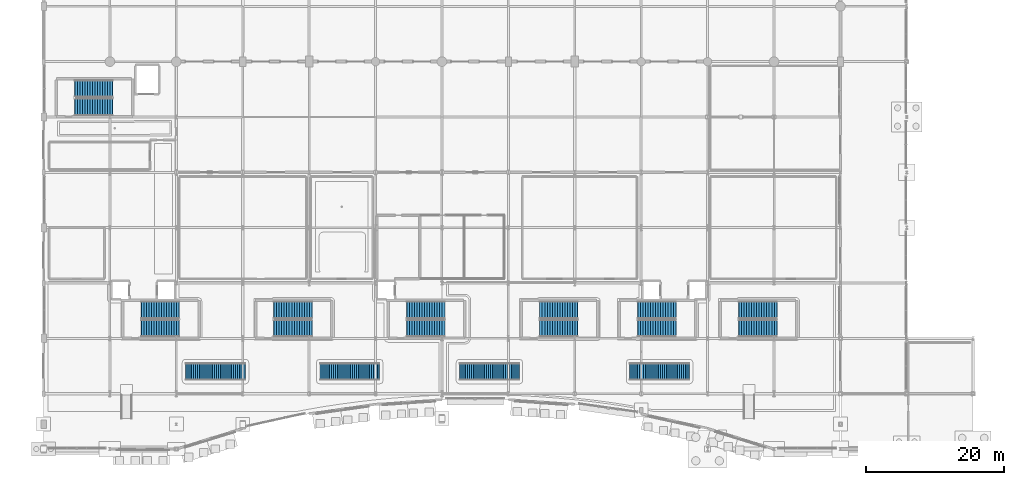
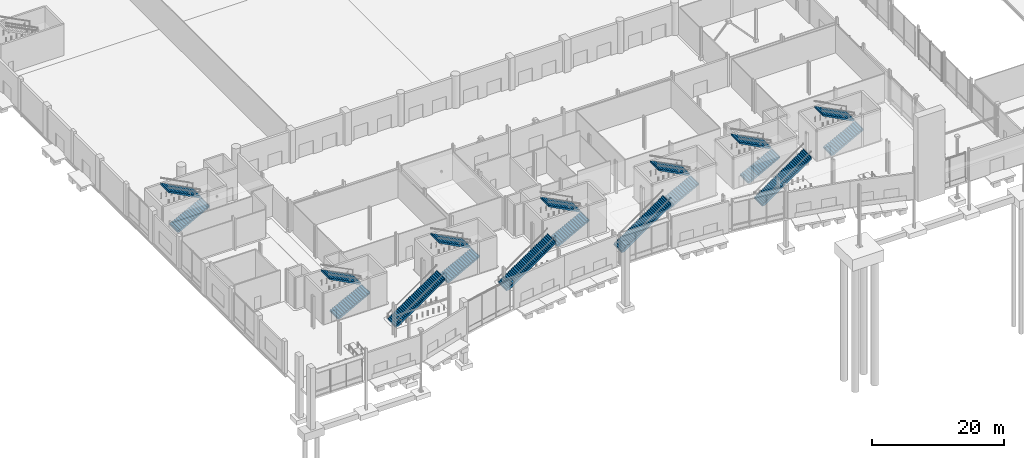
# One storey, part 89 of 124: 18 stair flights, 11 elements without a shape of their own.
"""IFC4 building model written with IfcOpenShell, lengths in metres."""

from ifc_helpers import new_model, si_unit, direction, frame, origin, place, context, subcontext, project, spatial, polyline, outline, extrude, material, type_object, element, aggregate, save


model = new_model("IFC4")

# Units and contexts
model_context = context("Model", 3, precision=1e-05, world=origin(), true_north=direction((0.0, 1.0)))
body_context = subcontext(model_context, "Body", "Model", "MODEL_VIEW")
ifc_project = project(units=[si_unit("LENGTHUNIT", "METRE"), si_unit("AREAUNIT", "SQUARE_METRE"), si_unit("VOLUMEUNIT", "CUBIC_METRE"), si_unit("PLANEANGLEUNIT", "RADIAN"), si_unit("MASSUNIT", "GRAM", prefix="KILO")], contexts=[model_context])

# Site, building, storey
site_placement = place(None, origin())
site = spatial("IfcSite", under=ifc_project, at=site_placement, CompositionType="ELEMENT")
building_placement = place(site_placement, origin())
building = spatial("IfcBuilding", under=site, at=building_placement, Name="Danafjord Basin Convention Centre", CompositionType="ELEMENT")
storey_placement = place(building_placement, origin())
storey = spatial("IfcBuildingStorey", under=building, at=storey_placement, Name="L00", CompositionType="ELEMENT", Elevation=0.0)

# Stair, stair flights
ifc_material_1 = material(Name="Concrete C40/50", Category="concrete")
stair_type_1 = type_object("IfcStairType", Name="STAIR-STR-C01", PredefinedType="TWO_STRAIGHT_RUN_STAIR", material=ifc_material_1)
stair_1_placement = place(storey_placement, origin())
stair_1 = element("IfcStair", 1, at=stair_1_placement, inside=storey, type_object=stair_type_1, Name="L00 West Harbour Core Stair 1", PredefinedType="HALF_TURN_STAIR")
ifc_material_2 = material(Name="Precast concrete C40/50", Category="concrete")
stair_flight_type = type_object("IfcStairFlightType", Name="SFLT-STD", PredefinedType="STRAIGHT", material=ifc_material_2)
stair_flight_1_placement = place(storey_placement, frame((14.1298828125, 17.4599609375, 0.0), z_axis=(0.0, 0.0, 1.0), x_axis=(1.0, 0.0, 0.0)))
stair_flight_1 = element("IfcStairFlight", 2, at=stair_flight_1_placement, type_object=stair_flight_type, Name="ST-01 flight 1", NumberOfRisers=16, NumberOfTreads=15, PredefinedType="STRAIGHT", RiserHeight=0.1875, TreadLength=0.365, context=body_context, shape_type="SweptSolid", body=[
    extrude(outline(polyline([(-0.06494140625, -0.14990234375), (-0.06494140625, -0.00390625), (0.0, -0.00390625), (0.0, 0.1875), (0.364990234375, 0.1875), (0.364990234375, 0.375), (0.72998046875, 0.375), (0.72998046875, 0.5625), (1.094970703125, 0.5625), (1.094970703125, 0.75), (1.4599609375, 0.75), (1.4599609375, 0.9375), (1.824951171875, 0.9375), (1.824951171875, 1.125), (2.18994140625, 1.125), (2.18994140625, 1.3125), (2.554931640625, 1.3125), (2.554931640625, 1.5), (2.919921875, 1.5), (2.919921875, 1.6875), (3.284912109375, 1.6875), (3.284912109375, 1.875), (3.64990234375, 1.875), (3.64990234375, 2.0625), (4.014892578125, 2.0625), (4.014892578125, 2.25), (4.3798828125, 2.25), (4.3798828125, 2.4375), (4.7451171875, 2.4375), (4.7451171875, 2.625), (5.110107421875, 2.625), (5.110107421875, 2.8125), (5.47509765625, 2.8125), (5.47509765625, 3.0), (5.5400390625, 2.99609375), (5.5400390625, 2.64404296875), (0.328125, -0.14990234375), (-0.06494140625, -0.14990234375)])), frame((0.0, 1.25, 0.0), z_axis=(0.0, -1.0, 0.0), x_axis=(1.0, 0.0, 0.0)), (0.0, 0.0, 1.0), 2.5),
])
stair_flight_2_placement = place(storey_placement, frame((19.60498046875, 20.10009765625, 3.0), z_axis=(0.0, 0.0, 1.0), x_axis=(-1.0, 0.0, 0.0)))
stair_flight_2 = element("IfcStairFlight", 3, at=stair_flight_2_placement, type_object=stair_flight_type, Name="ST-01 flight 2", NumberOfRisers=16, NumberOfTreads=15, PredefinedType="STRAIGHT", RiserHeight=0.1875, TreadLength=0.365, context=body_context, shape_type="SweptSolid", body=[
    extrude(outline(polyline([(-0.06494140625, -0.14990234375), (-0.06494140625, -0.00390625), (0.0, -0.00390625), (0.0, 0.1875), (0.364990234375, 0.1875), (0.364990234375, 0.375), (0.72998046875, 0.375), (0.72998046875, 0.5625), (1.094970703125, 0.5625), (1.094970703125, 0.75), (1.4599609375, 0.75), (1.4599609375, 0.9375), (1.824951171875, 0.9375), (1.824951171875, 1.125), (2.18994140625, 1.125), (2.18994140625, 1.3125), (2.554931640625, 1.3125), (2.554931640625, 1.5), (2.919921875, 1.5), (2.919921875, 1.6875), (3.284912109375, 1.6875), (3.284912109375, 1.875), (3.64990234375, 1.875), (3.64990234375, 2.0625), (4.014892578125, 2.0625), (4.014892578125, 2.25), (4.3798828125, 2.25), (4.3798828125, 2.4375), (4.7451171875, 2.4375), (4.7451171875, 2.625), (5.110107421875, 2.625), (5.110107421875, 2.8125), (5.47509765625, 2.8125), (5.47509765625, 3.0), (5.5400390625, 2.99609375), (5.5400390625, 2.64404296875), (0.328125, -0.14990234375), (-0.06494140625, -0.14990234375)])), frame((0.0, 1.25, 0.0), z_axis=(0.0, -1.0, 0.0), x_axis=(1.0, 0.0, 0.0)), (0.0, 0.0, 1.0), 2.5),
])
aggregate(stair_1, [stair_flight_1, stair_flight_2])

stair_2_placement = place(storey_placement, origin())
stair_2 = element("IfcStair", 4, at=stair_2_placement, inside=storey, type_object=stair_type_1, Name="L00 Central Harbour Core Stair 1", PredefinedType="HALF_TURN_STAIR")
stair_flight_3_placement = place(storey_placement, frame((85.929931640625, 17.4599609375, 0.0), z_axis=(0.0, 0.0, 1.0), x_axis=(1.0, 0.0, 0.0)))
stair_flight_3 = element("IfcStairFlight", 5, at=stair_flight_3_placement, type_object=stair_flight_type, Name="ST-03 flight 1", NumberOfRisers=16, NumberOfTreads=15, PredefinedType="STRAIGHT", RiserHeight=0.1875, TreadLength=0.365, context=body_context, shape_type="SweptSolid", body=[
    extrude(outline(polyline([(-0.06494140625, -0.14990234375), (-0.06494140625, -0.00390625), (0.0, -0.00390625), (0.0, 0.1875), (0.364990234375, 0.1875), (0.364990234375, 0.375), (0.72998046875, 0.375), (0.72998046875, 0.5625), (1.094970703125, 0.5625), (1.094970703125, 0.75), (1.4599609375, 0.75), (1.4599609375, 0.9375), (1.824951171875, 0.9375), (1.824951171875, 1.125), (2.18994140625, 1.125), (2.18994140625, 1.3125), (2.554931640625, 1.3125), (2.554931640625, 1.5), (2.919921875, 1.5), (2.919921875, 1.6875), (3.284912109375, 1.6875), (3.284912109375, 1.875), (3.64990234375, 1.875), (3.64990234375, 2.0625), (4.014892578125, 2.0625), (4.014892578125, 2.25), (4.3798828125, 2.25), (4.3798828125, 2.4375), (4.7451171875, 2.4375), (4.7451171875, 2.625), (5.110107421875, 2.625), (5.110107421875, 2.8125), (5.47509765625, 2.8125), (5.47509765625, 3.0), (5.5400390625, 2.99609375), (5.5400390625, 2.64404296875), (0.328125, -0.14990234375), (-0.06494140625, -0.14990234375)])), frame((0.0, 1.25, 0.0), z_axis=(0.0, -1.0, 0.0), x_axis=(1.0, 0.0, 0.0)), (0.0, 0.0, 1.0), 2.5),
])
stair_flight_4_placement = place(storey_placement, frame((91.405029296875, 20.10009765625, 3.0), z_axis=(0.0, 0.0, 1.0), x_axis=(-1.0, 0.0, 0.0)))
stair_flight_4 = element("IfcStairFlight", 6, at=stair_flight_4_placement, type_object=stair_flight_type, Name="ST-03 flight 2", NumberOfRisers=16, NumberOfTreads=15, PredefinedType="STRAIGHT", RiserHeight=0.1875, TreadLength=0.365, context=body_context, shape_type="SweptSolid", body=[
    extrude(outline(polyline([(-0.06494140625, -0.14990234375), (-0.06494140625, -0.00390625), (0.0, -0.00390625), (0.0, 0.1875), (0.364990234375, 0.1875), (0.364990234375, 0.375), (0.72998046875, 0.375), (0.72998046875, 0.5625), (1.094970703125, 0.5625), (1.094970703125, 0.75), (1.4599609375, 0.75), (1.4599609375, 0.9375), (1.824951171875, 0.9375), (1.824951171875, 1.125), (2.18994140625, 1.125), (2.18994140625, 1.3125), (2.554931640625, 1.3125), (2.554931640625, 1.5), (2.919921875, 1.5), (2.919921875, 1.6875), (3.284912109375, 1.6875), (3.284912109375, 1.875), (3.64990234375, 1.875), (3.64990234375, 2.0625), (4.014892578125, 2.0625), (4.014892578125, 2.25), (4.3798828125, 2.25), (4.3798828125, 2.4375), (4.7451171875, 2.4375), (4.7451171875, 2.625), (5.110107421875, 2.625), (5.110107421875, 2.8125), (5.47509765625, 2.8125), (5.47509765625, 3.0), (5.5400390625, 2.99609375), (5.5400390625, 2.64404296875), (0.328125, -0.14990234375), (-0.06494140625, -0.14990234375)])), frame((0.0, 1.25, 0.0), z_axis=(0.0, -1.0, 0.0), x_axis=(1.0, 0.0, 0.0)), (0.0, 0.0, 1.0), 2.5),
])
aggregate(stair_2, [stair_flight_3, stair_flight_4])

stair_3_placement = place(storey_placement, origin())
stair_3 = element("IfcStair", 7, at=stair_3_placement, inside=storey, type_object=stair_type_1, Name="L00 Mid-Arc Meeting Core Stair 1", PredefinedType="HALF_TURN_STAIR")
stair_flight_5_placement = place(storey_placement, frame((52.530029296875, 17.4599609375, 0.0), z_axis=(0.0, 0.0, 1.0), x_axis=(1.0, 0.0, 0.0)))
stair_flight_5 = element("IfcStairFlight", 8, at=stair_flight_5_placement, type_object=stair_flight_type, Name="ST-05 flight 1", NumberOfRisers=16, NumberOfTreads=15, PredefinedType="STRAIGHT", RiserHeight=0.1875, TreadLength=0.365, context=body_context, shape_type="SweptSolid", body=[
    extrude(outline(polyline([(-0.06494140625, -0.14990234375), (-0.06494140625, -0.00390625), (0.0, -0.00390625), (0.0, 0.1875), (0.364990234375, 0.1875), (0.364990234375, 0.375), (0.72998046875, 0.375), (0.72998046875, 0.5625), (1.094970703125, 0.5625), (1.094970703125, 0.75), (1.4599609375, 0.75), (1.4599609375, 0.9375), (1.824951171875, 0.9375), (1.824951171875, 1.125), (2.18994140625, 1.125), (2.18994140625, 1.3125), (2.554931640625, 1.3125), (2.554931640625, 1.5), (2.919921875, 1.5), (2.919921875, 1.6875), (3.284912109375, 1.6875), (3.284912109375, 1.875), (3.64990234375, 1.875), (3.64990234375, 2.0625), (4.014892578125, 2.0625), (4.014892578125, 2.25), (4.3798828125, 2.25), (4.3798828125, 2.4375), (4.7451171875, 2.4375), (4.7451171875, 2.625), (5.110107421875, 2.625), (5.110107421875, 2.8125), (5.47509765625, 2.8125), (5.47509765625, 3.0), (5.5400390625, 2.99609375), (5.5400390625, 2.64404296875), (0.328125, -0.14990234375), (-0.06494140625, -0.14990234375)])), frame((0.0, 1.25, 0.0), z_axis=(0.0, -1.0, 0.0), x_axis=(1.0, 0.0, 0.0)), (0.0, 0.0, 1.0), 2.5),
])
stair_flight_6_placement = place(storey_placement, frame((58.0048828125, 20.10009765625, 3.0), z_axis=(0.0, 0.0, 1.0), x_axis=(-1.0, 0.0, 0.0)))
stair_flight_6 = element("IfcStairFlight", 9, at=stair_flight_6_placement, type_object=stair_flight_type, Name="ST-05 flight 2", NumberOfRisers=16, NumberOfTreads=15, PredefinedType="STRAIGHT", RiserHeight=0.1875, TreadLength=0.365, context=body_context, shape_type="SweptSolid", body=[
    extrude(outline(polyline([(-0.06494140625, -0.14990234375), (-0.06494140625, -0.00390625), (0.0, -0.00390625), (0.0, 0.1875), (0.364990234375, 0.1875), (0.364990234375, 0.375), (0.72998046875, 0.375), (0.72998046875, 0.5625), (1.094970703125, 0.5625), (1.094970703125, 0.75), (1.4599609375, 0.75), (1.4599609375, 0.9375), (1.824951171875, 0.9375), (1.824951171875, 1.125), (2.18994140625, 1.125), (2.18994140625, 1.3125), (2.554931640625, 1.3125), (2.554931640625, 1.5), (2.919921875, 1.5), (2.919921875, 1.6875), (3.284912109375, 1.6875), (3.284912109375, 1.875), (3.64990234375, 1.875), (3.64990234375, 2.0625), (4.014892578125, 2.0625), (4.014892578125, 2.25), (4.3798828125, 2.25), (4.3798828125, 2.4375), (4.7451171875, 2.4375), (4.7451171875, 2.625), (5.110107421875, 2.625), (5.110107421875, 2.8125), (5.47509765625, 2.8125), (5.47509765625, 3.0), (5.5400390625, 2.99609375), (5.5400390625, 2.64404296875), (0.328125, -0.14990234375), (-0.06494140625, -0.14990234375)])), frame((0.0, 1.25, 0.0), z_axis=(0.0, -1.0, 0.0), x_axis=(1.0, 0.0, 0.0)), (0.0, 0.0, 1.0), 2.5),
])
aggregate(stair_3, [stair_flight_5, stair_flight_6])

stair_4_placement = place(storey_placement, origin())
stair_4 = element("IfcStair", 10, at=stair_4_placement, inside=storey, type_object=stair_type_1, Name="L00 West Exhibition Core Stair 1", PredefinedType="HALF_TURN_STAIR")
stair_flight_7_placement = place(storey_placement, frame((4.530029296875, 49.4599609375, 0.0), z_axis=(0.0, 0.0, 1.0), x_axis=(1.0, 0.0, 0.0)))
stair_flight_7 = element("IfcStairFlight", 11, at=stair_flight_7_placement, type_object=stair_flight_type, Name="ST-07 flight 1", NumberOfRisers=16, NumberOfTreads=15, PredefinedType="STRAIGHT", RiserHeight=0.1875, TreadLength=0.365, context=body_context, shape_type="SweptSolid", body=[
    extrude(outline(polyline([(-0.06494140625, -0.14990234375), (-0.06494140625, -0.00390625), (0.0, -0.00390625), (0.0, 0.1875), (0.364990234375, 0.1875), (0.364990234375, 0.375), (0.72998046875, 0.375), (0.72998046875, 0.5625), (1.094970703125, 0.5625), (1.094970703125, 0.75), (1.4599609375, 0.75), (1.4599609375, 0.9375), (1.824951171875, 0.9375), (1.824951171875, 1.125), (2.18994140625, 1.125), (2.18994140625, 1.3125), (2.554931640625, 1.3125), (2.554931640625, 1.5), (2.919921875, 1.5), (2.919921875, 1.6875), (3.284912109375, 1.6875), (3.284912109375, 1.875), (3.64990234375, 1.875), (3.64990234375, 2.0625), (4.014892578125, 2.0625), (4.014892578125, 2.25), (4.3798828125, 2.25), (4.3798828125, 2.4375), (4.7451171875, 2.4375), (4.7451171875, 2.625), (5.110107421875, 2.625), (5.110107421875, 2.8125), (5.47509765625, 2.8125), (5.47509765625, 3.0), (5.5400390625, 2.99609375), (5.5400390625, 2.64404296875), (0.328125, -0.14990234375), (-0.06494140625, -0.14990234375)])), frame((0.0, 1.25, 0.0), z_axis=(0.0, -1.0, 0.0), x_axis=(1.0, 0.0, 0.0)), (0.0, 0.0, 1.0), 2.5),
])
stair_flight_8_placement = place(storey_placement, frame((10.0048828125, 52.10009765625, 3.0), z_axis=(0.0, 0.0, 1.0), x_axis=(-1.0, 0.0, 0.0)))
stair_flight_8 = element("IfcStairFlight", 12, at=stair_flight_8_placement, type_object=stair_flight_type, Name="ST-07 flight 2", NumberOfRisers=16, NumberOfTreads=15, PredefinedType="STRAIGHT", RiserHeight=0.1875, TreadLength=0.365, context=body_context, shape_type="SweptSolid", body=[
    extrude(outline(polyline([(-0.06494140625, -0.14990234375), (-0.06494140625, -0.00390625), (0.0, -0.00390625), (0.0, 0.1875), (0.364990234375, 0.1875), (0.364990234375, 0.375), (0.72998046875, 0.375), (0.72998046875, 0.5625), (1.094970703125, 0.5625), (1.094970703125, 0.75), (1.4599609375, 0.75), (1.4599609375, 0.9375), (1.824951171875, 0.9375), (1.824951171875, 1.125), (2.18994140625, 1.125), (2.18994140625, 1.3125), (2.554931640625, 1.3125), (2.554931640625, 1.5), (2.919921875, 1.5), (2.919921875, 1.6875), (3.284912109375, 1.6875), (3.284912109375, 1.875), (3.64990234375, 1.875), (3.64990234375, 2.0625), (4.014892578125, 2.0625), (4.014892578125, 2.25), (4.3798828125, 2.25), (4.3798828125, 2.4375), (4.7451171875, 2.4375), (4.7451171875, 2.625), (5.110107421875, 2.625), (5.110107421875, 2.8125), (5.47509765625, 2.8125), (5.47509765625, 3.0), (5.5400390625, 2.99609375), (5.5400390625, 2.64404296875), (0.328125, -0.14990234375), (-0.06494140625, -0.14990234375)])), frame((0.0, 1.25, 0.0), z_axis=(0.0, -1.0, 0.0), x_axis=(1.0, 0.0, 0.0)), (0.0, 0.0, 1.0), 2.5),
])
aggregate(stair_4, [stair_flight_7, stair_flight_8])

stair_5_placement = place(storey_placement, origin())
stair_5 = element("IfcStair", 13, at=stair_5_placement, inside=storey, type_object=stair_type_1, Name="L00 West Harbour Escape Stair 2", PredefinedType="HALF_TURN_STAIR")
stair_flight_9_placement = place(storey_placement, frame((33.330078125, 17.4599609375, 0.0), z_axis=(0.0, 0.0, 1.0), x_axis=(1.0, 0.0, 0.0)))
stair_flight_9 = element("IfcStairFlight", 14, at=stair_flight_9_placement, type_object=stair_flight_type, Name="ST-02 flight 1", NumberOfRisers=16, NumberOfTreads=15, PredefinedType="STRAIGHT", RiserHeight=0.1875, TreadLength=0.365, context=body_context, shape_type="SweptSolid", body=[
    extrude(outline(polyline([(-0.06494140625, -0.14990234375), (-0.06494140625, -0.00390625), (0.0, -0.00390625), (0.0, 0.1875), (0.364990234375, 0.1875), (0.364990234375, 0.375), (0.72998046875, 0.375), (0.72998046875, 0.5625), (1.094970703125, 0.5625), (1.094970703125, 0.75), (1.4599609375, 0.75), (1.4599609375, 0.9375), (1.824951171875, 0.9375), (1.824951171875, 1.125), (2.18994140625, 1.125), (2.18994140625, 1.3125), (2.554931640625, 1.3125), (2.554931640625, 1.5), (2.919921875, 1.5), (2.919921875, 1.6875), (3.284912109375, 1.6875), (3.284912109375, 1.875), (3.64990234375, 1.875), (3.64990234375, 2.0625), (4.014892578125, 2.0625), (4.014892578125, 2.25), (4.3798828125, 2.25), (4.3798828125, 2.4375), (4.7451171875, 2.4375), (4.7451171875, 2.625), (5.110107421875, 2.625), (5.110107421875, 2.8125), (5.47509765625, 2.8125), (5.47509765625, 3.0), (5.5400390625, 2.99609375), (5.5400390625, 2.64404296875), (0.328125, -0.14990234375), (-0.06494140625, -0.14990234375)])), frame((0.0, 1.25, 0.0), z_axis=(0.0, -1.0, 0.0), x_axis=(1.0, 0.0, 0.0)), (0.0, 0.0, 1.0), 2.5),
])
stair_flight_10_placement = place(storey_placement, frame((38.804931640625, 20.10009765625, 3.0), z_axis=(0.0, 0.0, 1.0), x_axis=(-1.0, 0.0, 0.0)))
stair_flight_10 = element("IfcStairFlight", 15, at=stair_flight_10_placement, type_object=stair_flight_type, Name="ST-02 flight 2", NumberOfRisers=16, NumberOfTreads=15, PredefinedType="STRAIGHT", RiserHeight=0.1875, TreadLength=0.365, context=body_context, shape_type="SweptSolid", body=[
    extrude(outline(polyline([(-0.06494140625, -0.14990234375), (-0.06494140625, -0.00390625), (0.0, -0.00390625), (0.0, 0.1875), (0.364990234375, 0.1875), (0.364990234375, 0.375), (0.72998046875, 0.375), (0.72998046875, 0.5625), (1.094970703125, 0.5625), (1.094970703125, 0.75), (1.4599609375, 0.75), (1.4599609375, 0.9375), (1.824951171875, 0.9375), (1.824951171875, 1.125), (2.18994140625, 1.125), (2.18994140625, 1.3125), (2.554931640625, 1.3125), (2.554931640625, 1.5), (2.919921875, 1.5), (2.919921875, 1.6875), (3.284912109375, 1.6875), (3.284912109375, 1.875), (3.64990234375, 1.875), (3.64990234375, 2.0625), (4.014892578125, 2.0625), (4.014892578125, 2.25), (4.3798828125, 2.25), (4.3798828125, 2.4375), (4.7451171875, 2.4375), (4.7451171875, 2.625), (5.110107421875, 2.625), (5.110107421875, 2.8125), (5.47509765625, 2.8125), (5.47509765625, 3.0), (5.5400390625, 2.99609375), (5.5400390625, 2.64404296875), (0.328125, -0.14990234375), (-0.06494140625, -0.14990234375)])), frame((0.0, 1.25, 0.0), z_axis=(0.0, -1.0, 0.0), x_axis=(1.0, 0.0, 0.0)), (0.0, 0.0, 1.0), 2.5),
])
aggregate(stair_5, [stair_flight_9, stair_flight_10])

stair_6_placement = place(storey_placement, origin())
stair_6 = element("IfcStair", 16, at=stair_6_placement, inside=storey, type_object=stair_type_1, Name="L00 East Harbour Escape Stair 2", PredefinedType="HALF_TURN_STAIR")
stair_flight_11_placement = place(storey_placement, frame((100.530029296875, 17.4599609375, 0.0), z_axis=(0.0, 0.0, 1.0), x_axis=(1.0, 0.0, 0.0)))
stair_flight_11 = element("IfcStairFlight", 17, at=stair_flight_11_placement, type_object=stair_flight_type, Name="ST-04 flight 1", NumberOfRisers=16, NumberOfTreads=15, PredefinedType="STRAIGHT", RiserHeight=0.1875, TreadLength=0.365, context=body_context, shape_type="SweptSolid", body=[
    extrude(outline(polyline([(-0.06494140625, -0.14990234375), (-0.06494140625, -0.00390625), (0.0, -0.00390625), (0.0, 0.1875), (0.364990234375, 0.1875), (0.364990234375, 0.375), (0.72998046875, 0.375), (0.72998046875, 0.5625), (1.094970703125, 0.5625), (1.094970703125, 0.75), (1.4599609375, 0.75), (1.4599609375, 0.9375), (1.824951171875, 0.9375), (1.824951171875, 1.125), (2.18994140625, 1.125), (2.18994140625, 1.3125), (2.554931640625, 1.3125), (2.554931640625, 1.5), (2.919921875, 1.5), (2.919921875, 1.6875), (3.284912109375, 1.6875), (3.284912109375, 1.875), (3.64990234375, 1.875), (3.64990234375, 2.0625), (4.014892578125, 2.0625), (4.014892578125, 2.25), (4.3798828125, 2.25), (4.3798828125, 2.4375), (4.7451171875, 2.4375), (4.7451171875, 2.625), (5.110107421875, 2.625), (5.110107421875, 2.8125), (5.47509765625, 2.8125), (5.47509765625, 3.0), (5.5400390625, 2.99609375), (5.5400390625, 2.64404296875), (0.328125, -0.14990234375), (-0.06494140625, -0.14990234375)])), frame((0.0, 1.25, 0.0), z_axis=(0.0, -1.0, 0.0), x_axis=(1.0, 0.0, 0.0)), (0.0, 0.0, 1.0), 2.5),
])
stair_flight_12_placement = place(storey_placement, frame((106.0048828125, 20.10009765625, 3.0), z_axis=(0.0, 0.0, 1.0), x_axis=(-1.0, 0.0, 0.0)))
stair_flight_12 = element("IfcStairFlight", 18, at=stair_flight_12_placement, type_object=stair_flight_type, Name="ST-04 flight 2", NumberOfRisers=16, NumberOfTreads=15, PredefinedType="STRAIGHT", RiserHeight=0.1875, TreadLength=0.365, context=body_context, shape_type="SweptSolid", body=[
    extrude(outline(polyline([(-0.06494140625, -0.14990234375), (-0.06494140625, -0.00390625), (0.0, -0.00390625), (0.0, 0.1875), (0.364990234375, 0.1875), (0.364990234375, 0.375), (0.72998046875, 0.375), (0.72998046875, 0.5625), (1.094970703125, 0.5625), (1.094970703125, 0.75), (1.4599609375, 0.75), (1.4599609375, 0.9375), (1.824951171875, 0.9375), (1.824951171875, 1.125), (2.18994140625, 1.125), (2.18994140625, 1.3125), (2.554931640625, 1.3125), (2.554931640625, 1.5), (2.919921875, 1.5), (2.919921875, 1.6875), (3.284912109375, 1.6875), (3.284912109375, 1.875), (3.64990234375, 1.875), (3.64990234375, 2.0625), (4.014892578125, 2.0625), (4.014892578125, 2.25), (4.3798828125, 2.25), (4.3798828125, 2.4375), (4.7451171875, 2.4375), (4.7451171875, 2.625), (5.110107421875, 2.625), (5.110107421875, 2.8125), (5.47509765625, 2.8125), (5.47509765625, 3.0), (5.5400390625, 2.99609375), (5.5400390625, 2.64404296875), (0.328125, -0.14990234375), (-0.06494140625, -0.14990234375)])), frame((0.0, 1.25, 0.0), z_axis=(0.0, -1.0, 0.0), x_axis=(1.0, 0.0, 0.0)), (0.0, 0.0, 1.0), 2.5),
])
aggregate(stair_6, [stair_flight_11, stair_flight_12])

stair_7_placement = place(storey_placement, origin())
stair_7 = element("IfcStair", 19, at=stair_7_placement, inside=storey, type_object=stair_type_1, Name="L00 Mid-Arc Escape Stair 2", PredefinedType="HALF_TURN_STAIR")
stair_flight_13_placement = place(storey_placement, frame((71.72998046875, 17.4599609375, 0.0), z_axis=(0.0, 0.0, 1.0), x_axis=(1.0, 0.0, 0.0)))
stair_flight_13 = element("IfcStairFlight", 20, at=stair_flight_13_placement, type_object=stair_flight_type, Name="ST-06 flight 1", NumberOfRisers=16, NumberOfTreads=15, PredefinedType="STRAIGHT", RiserHeight=0.1875, TreadLength=0.365, context=body_context, shape_type="SweptSolid", body=[
    extrude(outline(polyline([(-0.06494140625, -0.14990234375), (-0.06494140625, -0.00390625), (0.0, -0.00390625), (0.0, 0.1875), (0.364990234375, 0.1875), (0.364990234375, 0.375), (0.72998046875, 0.375), (0.72998046875, 0.5625), (1.094970703125, 0.5625), (1.094970703125, 0.75), (1.4599609375, 0.75), (1.4599609375, 0.9375), (1.824951171875, 0.9375), (1.824951171875, 1.125), (2.18994140625, 1.125), (2.18994140625, 1.3125), (2.554931640625, 1.3125), (2.554931640625, 1.5), (2.919921875, 1.5), (2.919921875, 1.6875), (3.284912109375, 1.6875), (3.284912109375, 1.875), (3.64990234375, 1.875), (3.64990234375, 2.0625), (4.014892578125, 2.0625), (4.014892578125, 2.25), (4.3798828125, 2.25), (4.3798828125, 2.4375), (4.7451171875, 2.4375), (4.7451171875, 2.625), (5.110107421875, 2.625), (5.110107421875, 2.8125), (5.47509765625, 2.8125), (5.47509765625, 3.0), (5.5400390625, 2.99609375), (5.5400390625, 2.64404296875), (0.328125, -0.14990234375), (-0.06494140625, -0.14990234375)])), frame((0.0, 1.25, 0.0), z_axis=(0.0, -1.0, 0.0), x_axis=(1.0, 0.0, 0.0)), (0.0, 0.0, 1.0), 2.5),
])
stair_flight_14_placement = place(storey_placement, frame((77.205078125, 20.10009765625, 3.0), z_axis=(0.0, 0.0, 1.0), x_axis=(-1.0, 0.0, 0.0)))
stair_flight_14 = element("IfcStairFlight", 21, at=stair_flight_14_placement, type_object=stair_flight_type, Name="ST-06 flight 2", NumberOfRisers=16, NumberOfTreads=15, PredefinedType="STRAIGHT", RiserHeight=0.1875, TreadLength=0.365, context=body_context, shape_type="SweptSolid", body=[
    extrude(outline(polyline([(-0.06494140625, -0.14990234375), (-0.06494140625, -0.00390625), (0.0, -0.00390625), (0.0, 0.1875), (0.364990234375, 0.1875), (0.364990234375, 0.375), (0.72998046875, 0.375), (0.72998046875, 0.5625), (1.094970703125, 0.5625), (1.094970703125, 0.75), (1.4599609375, 0.75), (1.4599609375, 0.9375), (1.824951171875, 0.9375), (1.824951171875, 1.125), (2.18994140625, 1.125), (2.18994140625, 1.3125), (2.554931640625, 1.3125), (2.554931640625, 1.5), (2.919921875, 1.5), (2.919921875, 1.6875), (3.284912109375, 1.6875), (3.284912109375, 1.875), (3.64990234375, 1.875), (3.64990234375, 2.0625), (4.014892578125, 2.0625), (4.014892578125, 2.25), (4.3798828125, 2.25), (4.3798828125, 2.4375), (4.7451171875, 2.4375), (4.7451171875, 2.625), (5.110107421875, 2.625), (5.110107421875, 2.8125), (5.47509765625, 2.8125), (5.47509765625, 3.0), (5.5400390625, 2.99609375), (5.5400390625, 2.64404296875), (0.328125, -0.14990234375), (-0.06494140625, -0.14990234375)])), frame((0.0, 1.25, 0.0), z_axis=(0.0, -1.0, 0.0), x_axis=(1.0, 0.0, 0.0)), (0.0, 0.0, 1.0), 2.5),
])
aggregate(stair_7, [stair_flight_13, stair_flight_14])

# Stair, stair flight
stair_type_2 = type_object("IfcStairType", Name="STAIR-STR-F02", PredefinedType="TWO_STRAIGHT_RUN_STAIR", material=ifc_material_1)
stair_8_placement = place(storey_placement, origin())
stair_8 = element("IfcStair", 22, at=stair_8_placement, inside=storey, type_object=stair_type_2, Name="Grand Registration West Feature Stair", PredefinedType="TWO_STRAIGHT_RUN_STAIR")
stair_flight_15_placement = place(storey_placement, frame((20.60009765625, 11.199951171875, 0.0), z_axis=(0.0, 0.0, 1.0), x_axis=(1.0, 0.0, 0.0)))
stair_flight_15 = element("IfcStairFlight", 23, at=stair_flight_15_placement, type_object=stair_flight_type, Name="Grand Registration West Feature Stair flight", NumberOfRisers=32, NumberOfTreads=31, PredefinedType="STRAIGHT", RiserHeight=0.1875, TreadLength=0.275, context=body_context, shape_type="SweptSolid", body=[
    extrude(outline(polyline([(-0.06494140625, -0.159912109375), (-0.06494140625, -0.00390625), (0.0, -0.00390625), (0.0, 0.1875), (0.27490234375, 0.1875), (0.27490234375, 0.375), (0.550048828125, 0.375), (0.550048828125, 0.5625), (0.824951171875, 0.5625), (0.824951171875, 0.75), (1.10009765625, 0.75), (1.10009765625, 0.9375), (1.375, 0.9375), (1.375, 1.125), (1.64990234375, 1.125), (1.64990234375, 1.3125), (1.925048828125, 1.3125), (1.925048828125, 1.5), (2.199951171875, 1.5), (2.199951171875, 1.6875), (2.47509765625, 1.6875), (2.47509765625, 1.875), (2.75, 1.875), (2.75, 2.0625), (3.02490234375, 2.0625), (3.02490234375, 2.25), (3.300048828125, 2.25), (3.300048828125, 2.4375), (3.574951171875, 2.4375), (3.574951171875, 2.625), (3.85009765625, 2.625), (3.85009765625, 2.8125), (4.125, 2.8125), (4.125, 3.0), (4.39990234375, 3.0), (4.39990234375, 3.1875), (4.675048828125, 3.1875), (4.675048828125, 3.375), (4.949951171875, 3.375), (4.949951171875, 3.5625), (5.22509765625, 3.5625), (5.22509765625, 3.75), (5.5, 3.75), (5.5, 3.9375), (5.77490234375, 3.9375), (5.77490234375, 4.125), (6.050048828125, 4.125), (6.050048828125, 4.3125), (6.324951171875, 4.3125), (6.324951171875, 4.5), (6.60009765625, 4.5), (6.60009765625, 4.6875), (6.875, 4.6875), (6.875, 4.875), (7.14990234375, 4.875), (7.14990234375, 5.0625), (7.425048828125, 5.0625), (7.425048828125, 5.25), (7.699951171875, 5.25), (7.699951171875, 5.4375), (7.97509765625, 5.4375), (7.97509765625, 5.625), (8.25, 5.625), (8.25, 5.8125), (8.52490234375, 5.8125), (8.52490234375, 6.0), (8.590087890625, 5.99609375), (8.590087890625, 5.54638671875), (0.390380859375, -0.159912109375), (-0.06494140625, -0.159912109375)])), frame((0.0, 1.22509765625, 0.0), z_axis=(0.0, -1.0, 0.0), x_axis=(1.0, 0.0, 0.0)), (0.0, 0.0, 1.0), 2.449951171875),
])
aggregate(stair_8, [stair_flight_15])

stair_9_placement = place(storey_placement, origin())
stair_9 = element("IfcStair", 24, at=stair_9_placement, inside=storey, type_object=stair_type_2, Name="Grand Registration East Feature Stair", PredefinedType="TWO_STRAIGHT_RUN_STAIR")
stair_flight_16_placement = place(storey_placement, frame((84.800048828125, 11.199951171875, 0.0), z_axis=(0.0, 0.0, 1.0), x_axis=(1.0, 0.0, 0.0)))
stair_flight_16 = element("IfcStairFlight", 25, at=stair_flight_16_placement, type_object=stair_flight_type, Name="Grand Registration East Feature Stair flight", NumberOfRisers=32, NumberOfTreads=31, PredefinedType="STRAIGHT", RiserHeight=0.1875, TreadLength=0.275, context=body_context, shape_type="SweptSolid", body=[
    extrude(outline(polyline([(-0.06494140625, -0.159912109375), (-0.06494140625, -0.00390625), (0.0, -0.00390625), (0.0, 0.1875), (0.27490234375, 0.1875), (0.27490234375, 0.375), (0.550048828125, 0.375), (0.550048828125, 0.5625), (0.824951171875, 0.5625), (0.824951171875, 0.75), (1.10009765625, 0.75), (1.10009765625, 0.9375), (1.375, 0.9375), (1.375, 1.125), (1.64990234375, 1.125), (1.64990234375, 1.3125), (1.925048828125, 1.3125), (1.925048828125, 1.5), (2.199951171875, 1.5), (2.199951171875, 1.6875), (2.47509765625, 1.6875), (2.47509765625, 1.875), (2.75, 1.875), (2.75, 2.0625), (3.02490234375, 2.0625), (3.02490234375, 2.25), (3.300048828125, 2.25), (3.300048828125, 2.4375), (3.574951171875, 2.4375), (3.574951171875, 2.625), (3.85009765625, 2.625), (3.85009765625, 2.8125), (4.125, 2.8125), (4.125, 3.0), (4.39990234375, 3.0), (4.39990234375, 3.1875), (4.675048828125, 3.1875), (4.675048828125, 3.375), (4.949951171875, 3.375), (4.949951171875, 3.5625), (5.22509765625, 3.5625), (5.22509765625, 3.75), (5.5, 3.75), (5.5, 3.9375), (5.77490234375, 3.9375), (5.77490234375, 4.125), (6.050048828125, 4.125), (6.050048828125, 4.3125), (6.324951171875, 4.3125), (6.324951171875, 4.5), (6.60009765625, 4.5), (6.60009765625, 4.6875), (6.875, 4.6875), (6.875, 4.875), (7.14990234375, 4.875), (7.14990234375, 5.0625), (7.425048828125, 5.0625), (7.425048828125, 5.25), (7.699951171875, 5.25), (7.699951171875, 5.4375), (7.97509765625, 5.4375), (7.97509765625, 5.625), (8.25, 5.625), (8.25, 5.8125), (8.52490234375, 5.8125), (8.52490234375, 6.0), (8.590087890625, 5.99609375), (8.590087890625, 5.54638671875), (0.390380859375, -0.159912109375), (-0.06494140625, -0.159912109375)])), frame((0.0, 1.22509765625, 0.0), z_axis=(0.0, -1.0, 0.0), x_axis=(1.0, 0.0, 0.0)), (0.0, 0.0, 1.0), 2.449951171875),
])
aggregate(stair_9, [stair_flight_16])

stair_10_placement = place(storey_placement, origin())
stair_10 = element("IfcStair", 26, at=stair_10_placement, inside=storey, type_object=stair_type_2, Name="Central Harbour Concourse West Grand Stair", PredefinedType="TWO_STRAIGHT_RUN_STAIR")
stair_flight_17_placement = place(storey_placement, frame((40.0, 11.199951171875, 0.0), z_axis=(0.0, 0.0, 1.0), x_axis=(1.0, 0.0, 0.0)))
stair_flight_17 = element("IfcStairFlight", 27, at=stair_flight_17_placement, type_object=stair_flight_type, Name="Central Harbour Concourse West Grand Stair flight", NumberOfRisers=32, NumberOfTreads=31, PredefinedType="STRAIGHT", RiserHeight=0.1875, TreadLength=0.275, context=body_context, shape_type="SweptSolid", body=[
    extrude(outline(polyline([(-0.06494140625, -0.159912109375), (-0.06494140625, -0.00390625), (0.0, -0.00390625), (0.0, 0.1875), (0.27490234375, 0.1875), (0.27490234375, 0.375), (0.550048828125, 0.375), (0.550048828125, 0.5625), (0.824951171875, 0.5625), (0.824951171875, 0.75), (1.10009765625, 0.75), (1.10009765625, 0.9375), (1.375, 0.9375), (1.375, 1.125), (1.64990234375, 1.125), (1.64990234375, 1.3125), (1.925048828125, 1.3125), (1.925048828125, 1.5), (2.199951171875, 1.5), (2.199951171875, 1.6875), (2.47509765625, 1.6875), (2.47509765625, 1.875), (2.75, 1.875), (2.75, 2.0625), (3.02490234375, 2.0625), (3.02490234375, 2.25), (3.300048828125, 2.25), (3.300048828125, 2.4375), (3.574951171875, 2.4375), (3.574951171875, 2.625), (3.85009765625, 2.625), (3.85009765625, 2.8125), (4.125, 2.8125), (4.125, 3.0), (4.39990234375, 3.0), (4.39990234375, 3.1875), (4.675048828125, 3.1875), (4.675048828125, 3.375), (4.949951171875, 3.375), (4.949951171875, 3.5625), (5.22509765625, 3.5625), (5.22509765625, 3.75), (5.5, 3.75), (5.5, 3.9375), (5.77490234375, 3.9375), (5.77490234375, 4.125), (6.050048828125, 4.125), (6.050048828125, 4.3125), (6.324951171875, 4.3125), (6.324951171875, 4.5), (6.60009765625, 4.5), (6.60009765625, 4.6875), (6.875, 4.6875), (6.875, 4.875), (7.14990234375, 4.875), (7.14990234375, 5.0625), (7.425048828125, 5.0625), (7.425048828125, 5.25), (7.699951171875, 5.25), (7.699951171875, 5.4375), (7.97509765625, 5.4375), (7.97509765625, 5.625), (8.25, 5.625), (8.25, 5.8125), (8.52490234375, 5.8125), (8.52490234375, 6.0), (8.590087890625, 5.99609375), (8.590087890625, 5.54638671875), (0.390380859375, -0.159912109375), (-0.06494140625, -0.159912109375)])), frame((0.0, 1.22509765625, 0.0), z_axis=(0.0, -1.0, 0.0), x_axis=(1.0, 0.0, 0.0)), (0.0, 0.0, 1.0), 2.449951171875),
])
aggregate(stair_10, [stair_flight_17])

stair_11_placement = place(storey_placement, origin())
stair_11 = element("IfcStair", 28, at=stair_11_placement, inside=storey, type_object=stair_type_2, Name="Central Harbour Concourse East Grand Stair", PredefinedType="TWO_STRAIGHT_RUN_STAIR")
stair_flight_18_placement = place(storey_placement, frame((60.199951171875, 11.199951171875, 0.0), z_axis=(0.0, 0.0, 1.0), x_axis=(1.0, 0.0, 0.0)))
stair_flight_18 = element("IfcStairFlight", 29, at=stair_flight_18_placement, type_object=stair_flight_type, Name="Central Harbour Concourse East Grand Stair flight", NumberOfRisers=32, NumberOfTreads=31, PredefinedType="STRAIGHT", RiserHeight=0.1875, TreadLength=0.275, context=body_context, shape_type="SweptSolid", body=[
    extrude(outline(polyline([(-0.06494140625, -0.159912109375), (-0.06494140625, -0.00390625), (0.0, -0.00390625), (0.0, 0.1875), (0.27490234375, 0.1875), (0.27490234375, 0.375), (0.550048828125, 0.375), (0.550048828125, 0.5625), (0.824951171875, 0.5625), (0.824951171875, 0.75), (1.10009765625, 0.75), (1.10009765625, 0.9375), (1.375, 0.9375), (1.375, 1.125), (1.64990234375, 1.125), (1.64990234375, 1.3125), (1.925048828125, 1.3125), (1.925048828125, 1.5), (2.199951171875, 1.5), (2.199951171875, 1.6875), (2.47509765625, 1.6875), (2.47509765625, 1.875), (2.75, 1.875), (2.75, 2.0625), (3.02490234375, 2.0625), (3.02490234375, 2.25), (3.300048828125, 2.25), (3.300048828125, 2.4375), (3.574951171875, 2.4375), (3.574951171875, 2.625), (3.85009765625, 2.625), (3.85009765625, 2.8125), (4.125, 2.8125), (4.125, 3.0), (4.39990234375, 3.0), (4.39990234375, 3.1875), (4.675048828125, 3.1875), (4.675048828125, 3.375), (4.949951171875, 3.375), (4.949951171875, 3.5625), (5.22509765625, 3.5625), (5.22509765625, 3.75), (5.5, 3.75), (5.5, 3.9375), (5.77490234375, 3.9375), (5.77490234375, 4.125), (6.050048828125, 4.125), (6.050048828125, 4.3125), (6.324951171875, 4.3125), (6.324951171875, 4.5), (6.60009765625, 4.5), (6.60009765625, 4.6875), (6.875, 4.6875), (6.875, 4.875), (7.14990234375, 4.875), (7.14990234375, 5.0625), (7.425048828125, 5.0625), (7.425048828125, 5.25), (7.699951171875, 5.25), (7.699951171875, 5.4375), (7.97509765625, 5.4375), (7.97509765625, 5.625), (8.25, 5.625), (8.25, 5.8125), (8.52490234375, 5.8125), (8.52490234375, 6.0), (8.590087890625, 5.99609375), (8.590087890625, 5.54638671875), (0.390380859375, -0.159912109375), (-0.06494140625, -0.159912109375)])), frame((0.0, 1.22509765625, 0.0), z_axis=(0.0, -1.0, 0.0), x_axis=(1.0, 0.0, 0.0)), (0.0, 0.0, 1.0), 2.449951171875),
])
aggregate(stair_11, [stair_flight_18])

save(model, "model.ifc")
